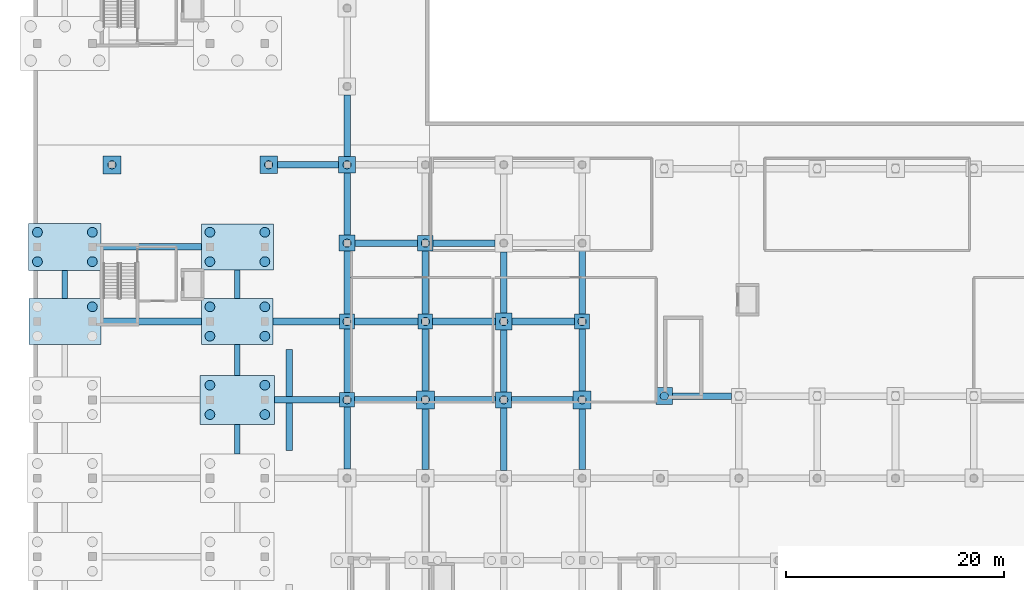
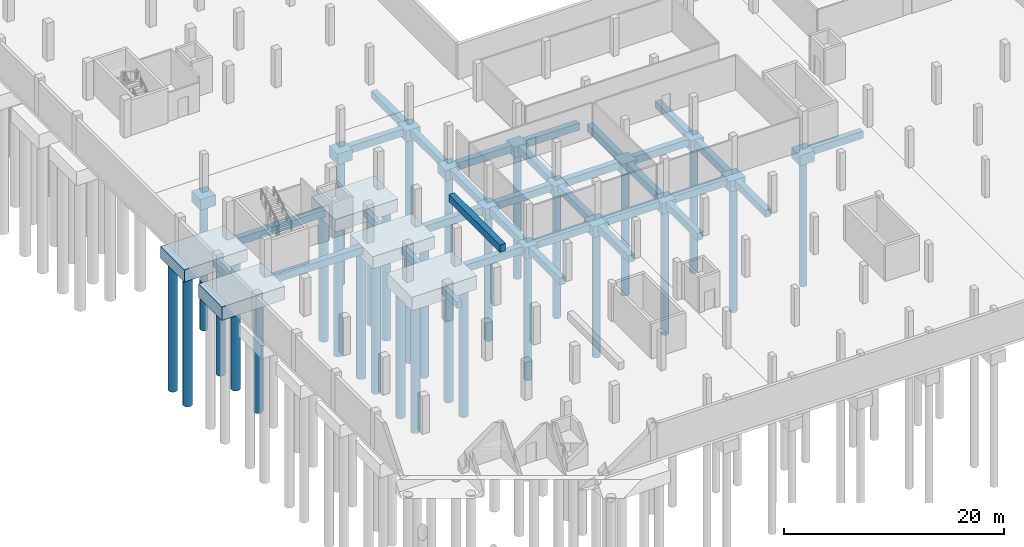
# One storey, part 3 of 36: 52 footings, 31 piles.
"""IFC4 building model written with IfcOpenShell, lengths in metres."""

import ifcopenshell
import ifcopenshell.guid

model = None  # the IFC model being written
_history = None  # IfcOwnerHistory: only IFC2X3 demands one
_inside = {}  # id of a spatial element -> (the spatial element, [elements in it])
_under = {}  # id of a project, library or spatial element -> (it, [spatial elements below it])
_declared = {}  # id of a project -> (the project, [libraries it declares])
_typed = {}  # id of a type object -> (the type object, [elements of that type])
_made_of = {}  # id of a material, layer set ... -> (it, [elements and type objects made of it])


def new_model(schema):
    """Start an empty IFC model of exactly this schema.

    Asked for "IFC4X3", IfcOpenShell would pick the latest addendum, in which some entities
    have other attributes; the version numbers below select the first issue.
    IFC2X3 requires an IfcOwnerHistory on every rooted entity: one is made here for all.
    """
    global model, _history
    if schema == "IFC4X3":
        model = ifcopenshell.file(schema_version=(4, 3, 0, 0))
    else:
        model = ifcopenshell.file(schema=schema)
    _inside.clear()
    _under.clear()
    _declared.clear()
    _typed.clear()
    _made_of.clear()
    _history = None
    if model.schema == "IFC2X3":
        org = make("IfcOrganization", Name="unknown")
        user = make(
            "IfcPersonAndOrganization",
            ThePerson=make("IfcPerson", FamilyName="unknown"),
            TheOrganization=org,
        )
        app = make(
            "IfcApplication",
            ApplicationDeveloper=org,
            Version="unknown",
            ApplicationFullName="unknown",
            ApplicationIdentifier="unknown",
        )
        _history = make(
            "IfcOwnerHistory",
            OwningUser=user,
            OwningApplication=app,
            ChangeAction="ADDED",
            CreationDate=0,
        )
    return model


def make(cls, **values):
    """One entity of the class cls with the attributes given. An attribute that is None is left unset."""
    return model.create_entity(
        cls, **{name: value for name, value in values.items() if value is not None}
    )


def rooted(cls, **values):
    """An entity with a GlobalId (a new one), such as an element, a storey or a relation."""
    return make(cls, GlobalId=ifcopenshell.guid.new(), OwnerHistory=_history, **values)


def si_unit(unit_type, name, prefix=None):
    """IfcSIUnit, for example si_unit("LENGTHUNIT", "METRE", prefix="MILLI")."""
    return make("IfcSIUnit", UnitType=unit_type, Prefix=prefix, Name=name)


def derived_unit(unit_type, elements):
    """IfcDerivedUnit: a product of units, each with its exponent."""
    return make(
        "IfcDerivedUnit",
        Elements=[
            make("IfcDerivedUnitElement", Unit=unit, Exponent=power)
            for unit, power in elements
        ],
        UnitType=unit_type,
    )


def assignment(units):
    """IfcUnitAssignment: the units of a project."""
    return None if units is None else make("IfcUnitAssignment", Units=units)


def point(xyz):
    """IfcCartesianPoint."""
    return None if xyz is None else make("IfcCartesianPoint", Coordinates=xyz)


def direction(xyz):
    """IfcDirection."""
    return None if xyz is None else make("IfcDirection", DirectionRatios=xyz)


def frame(location, z_axis=None, x_axis=None):
    """IfcAxis2Placement3D, a coordinate frame: its origin and axes. An axis left out is left unset."""
    return make(
        "IfcAxis2Placement3D",
        Location=point(location),
        Axis=direction(z_axis),
        RefDirection=direction(x_axis),
    )


def frame_2d(location, x_axis=None):
    """IfcAxis2Placement2D, a coordinate frame in the plane: its origin and x axis."""
    return make(
        "IfcAxis2Placement2D", Location=point(location), RefDirection=direction(x_axis)
    )


def origin():
    """The frame at (0, 0, 0) with its axes left unset."""
    return frame((0.0, 0.0, 0.0))


def origin_2d():
    """The frame at (0, 0) in the plane with its x axis left unset."""
    return frame_2d((0.0, 0.0))


def place(relative_to, where):
    """IfcLocalPlacement: puts the frame where relative to a parent placement (None: the world)."""
    return make(
        "IfcLocalPlacement", PlacementRelTo=relative_to, RelativePlacement=where
    )


def context(
    kind, dimensions, precision=None, world=None, true_north=None, identifier=None
):
    """IfcGeometricRepresentationContext, for example the 3D "Model" context."""
    return make(
        "IfcGeometricRepresentationContext",
        ContextIdentifier=identifier,
        ContextType=kind,
        CoordinateSpaceDimension=dimensions,
        Precision=precision,
        WorldCoordinateSystem=world,
        TrueNorth=true_north,
    )


def subcontext(parent, identifier, kind, view, scale=None):
    """IfcGeometricRepresentationSubContext, for example "Body" below "Model"."""
    return make(
        "IfcGeometricRepresentationSubContext",
        ContextIdentifier=identifier,
        ContextType=kind,
        ParentContext=parent,
        TargetScale=scale,
        TargetView=view,
    )


def project(units=None, contexts=None):
    """IfcProject with its units and contexts."""
    return rooted(
        "IfcProject",
        Name="project",
        RepresentationContexts=contexts,
        UnitsInContext=assignment(units),
    )


def spatial(cls, under=None, at=None, **own):
    """A site, building, storey or space (cls), placed at a placement, below another one or the project."""
    s = rooted(cls, ObjectPlacement=at, **own)
    if under is not None:
        _under.setdefault(under.id(), (under, []))[1].append(s)
    return s


def polyline(points):
    """IfcPolyline through the points."""
    return make("IfcPolyline", Points=[point(p) for p in points])


def profile(cls, at=None, kind="AREA", **sizes):
    """A parametric profile (cls). Its sizes go by their IFC names, for example OverallWidth=200.0."""
    return make(cls, ProfileType=kind, Position=at, **sizes)


def rectangle(**sizes):
    """IfcRectangleProfileDef."""
    return profile("IfcRectangleProfileDef", **sizes)


def circle(**sizes):
    """IfcCircleProfileDef."""
    return profile("IfcCircleProfileDef", **sizes)


def outline(outer, holes=None, kind="AREA"):
    """IfcArbitraryClosedProfileDef: a profile drawn as a closed curve; with holes, ...WithVoids."""
    if holes is None:
        return make("IfcArbitraryClosedProfileDef", ProfileType=kind, OuterCurve=outer)
    return make(
        "IfcArbitraryProfileDefWithVoids",
        ProfileType=kind,
        OuterCurve=outer,
        InnerCurves=holes,
    )


def extrude(swept, where, along, depth):
    """IfcExtrudedAreaSolid: the profile swept, set in the frame where, extruded along a direction by depth."""
    return make(
        "IfcExtrudedAreaSolid",
        SweptArea=swept,
        Position=where,
        ExtrudedDirection=direction(along),
        Depth=depth,
    )


def shape(context_of_items, identifier, shape_type, items):
    """IfcShapeRepresentation: the items that make up one representation, for example the "Body"."""
    return make(
        "IfcShapeRepresentation",
        ContextOfItems=context_of_items,
        RepresentationIdentifier=identifier,
        RepresentationType=shape_type,
        Items=items,
    )


def material(Name=None, Category=None):
    """IfcMaterial."""
    return make("IfcMaterial", Name=Name, Category=Category)


def material_profile(
    of_material, cross_section, Name=None, Category=None, Priority=None
):
    """IfcMaterialProfile: a cross section and its material."""
    return make(
        "IfcMaterialProfile",
        Name=Name,
        Material=of_material,
        Profile=cross_section,
        Priority=Priority,
        Category=Category,
    )


def profile_set(profiles, Name=None, composite=None):
    """IfcMaterialProfileSet."""
    return make(
        "IfcMaterialProfileSet",
        Name=Name,
        MaterialProfiles=profiles,
        CompositeProfile=composite,
    )


def made_of(thing, what):
    """Note that an element or type object is made of a material, layer set ...; save() writes the relation."""
    if what is not None:
        _made_of.setdefault(what.id(), (what, []))[1].append(thing)
    return thing


def type_object(cls, material=None, **own):
    """A type object (cls), such as IfcWallType, which elements share."""
    return made_of(rooted(cls, **own), material)


def element(
    cls,
    number,
    at=None,
    inside=None,
    cuts=None,
    type_object=None,
    material=None,
    context=None,
    identifier="Body",
    shape_type=None,
    held_by="IfcProductDefinitionShape",
    body=None,
    shapes=None,
    **own,
):
    """One element of the class cls, such as IfcWall. Its Tag is "e" and its number.

    at: its placement. inside: the storey or other place that contains it. cuts: it is an
    opening in that element (IfcRelVoidsElement). A single representation is given by context,
    identifier, shape_type and body (its items); several are given by shapes. held_by: the class
    of the entity that holds the representations. save() writes the other relations.
    """
    e = rooted(cls, Tag="e%d" % number, ObjectPlacement=at, **own)
    if body is not None:
        shapes = [shape(context, identifier, shape_type, body)]
    if shapes is not None:
        e.Representation = make(held_by, Representations=shapes)
    if inside is not None:
        _inside.setdefault(inside.id(), (inside, []))[1].append(e)
    if cuts is not None:
        rooted(
            "IfcRelVoidsElement", RelatingBuildingElement=cuts, RelatedOpeningElement=e
        )
    if type_object is not None:
        _typed.setdefault(type_object.id(), (type_object, []))[1].append(e)
    return made_of(e, material)


def aggregate(whole, parts):
    """IfcRelAggregates: a whole, such as a stair, and the parts it consists of."""
    return rooted("IfcRelAggregates", RelatingObject=whole, RelatedObjects=parts)


def save(model, path):
    """Write the relations noted so far, then the file.

    IfcRelAggregates (storeys below a building ...), IfcRelContainedInSpatialStructure (elements
    in a storey), IfcRelDefinesByType, IfcRelAssociatesMaterial and IfcRelDeclares: one each for
    every whole, place, type object, material and project.
    """
    for whole, parts in _under.values():
        aggregate(whole, parts)
    for where, things in _inside.values():
        rooted(
            "IfcRelContainedInSpatialStructure",
            RelatedElements=things,
            RelatingStructure=where,
        )
    for kind, things in _typed.values():
        rooted("IfcRelDefinesByType", RelatedObjects=things, RelatingType=kind)
    for what, things in _made_of.values():
        rooted("IfcRelAssociatesMaterial", RelatedObjects=things, RelatingMaterial=what)
    for by, libraries in _declared.values():
        rooted("IfcRelDeclares", RelatingContext=by, RelatedDefinitions=libraries)
    model.write(path)


model = new_model("IFC4")

# Units and contexts
model_context = context("Model", 3, precision=1e-05, world=origin(), true_north=direction((0.0, 1.0)))
body_context = subcontext(model_context, "Body", "Model", "MODEL_VIEW")
ifc_project = project(units=[si_unit("LENGTHUNIT", "METRE"), si_unit("AREAUNIT", "SQUARE_METRE"), si_unit("VOLUMEUNIT", "CUBIC_METRE"), si_unit("PLANEANGLEUNIT", "RADIAN"), si_unit("MASSUNIT", "GRAM", prefix="KILO"), derived_unit("THERMALTRANSMITTANCEUNIT", [(si_unit("MASSUNIT", "GRAM", prefix="KILO"), 1), (si_unit("TIMEUNIT", "SECOND"), -3), (si_unit("THERMODYNAMICTEMPERATUREUNIT", "KELVIN"), -1)])], contexts=[model_context])

# Site, building, storey
site_placement = place(None, origin())
site = spatial("IfcSite", under=ifc_project, at=site_placement, CompositionType="ELEMENT")
building_placement = place(site_placement, origin())
building = spatial("IfcBuilding", under=site, at=building_placement, Name="Ochrekiln Boulevard Commons", CompositionType="ELEMENT")
storey_placement = place(building_placement, frame((0.0, 0.0, -4.199951171875)))
storey = spatial("IfcBuildingStorey", under=building, at=storey_placement, Name="B1", CompositionType="ELEMENT", Elevation=-4.199951171875)

# Footings
ifc_material = material(Name="Concrete C35/45", Category="concrete")
footing_type_1 = type_object("IfcFootingType", Name="CAP-RC-1350x1350x1200", PredefinedType="PILE_CAP", material=ifc_material)
for number, where, z_axis, x_axis, name in (
    (1, (28.800048828125, 36.0, -1.5), (0.0, 0.0, 1.0), (1.0, 0.0, 0.0), "Reinforced Concrete Pile Cap PC-27 (36)"),
    (2, (36.0, 43.199951171875, -1.5), (0.0, 0.0, 1.0), (1.0, 0.0, 0.0), "Reinforced Concrete Pile Cap PC-27 (54)"),
    (3, (50.39990234375, 43.199951171875, -1.5), (0.0, 0.0, 1.0), (1.0, 0.0, 0.0), "Reinforced Concrete Pile Cap PC-27 (72)"),
):
    element("IfcFooting", number, at=place(storey_placement, frame(where, z_axis=z_axis, x_axis=x_axis)), inside=storey, type_object=footing_type_1, Name=name, PredefinedType="PILE_CAP", context=body_context, shape_type="SweptSolid", body=[
        extrude(rectangle(XDim=1.35009765625, YDim=1.35009765625, at=origin_2d()), origin(), (0.0, 0.0, 1.0), 1.199951171875),
    ])
footing_type_2 = type_object("IfcFootingType", Name="CAP-RC-1410x1410x1200", PredefinedType="PILE_CAP", material=ifc_material)
for number, where, z_axis, x_axis, name in (
    (4, (28.800048828125, 43.199951171875, -1.5), (0.0, 0.0, 1.0), (1.0, 0.0, 0.0), "Reinforced Concrete Pile Cap PC-28 (37)"),
    (5, (36.0, 50.39990234375, -1.5), (0.0, 0.0, 1.0), (1.0, 0.0, 0.0), "Reinforced Concrete Pile Cap PC-28 (55)"),
):
    element("IfcFooting", number, at=place(storey_placement, frame(where, z_axis=z_axis, x_axis=x_axis)), inside=storey, type_object=footing_type_2, Name=name, PredefinedType="PILE_CAP", context=body_context, shape_type="SweptSolid", body=[
        extrude(rectangle(XDim=1.409912109375, YDim=1.409912109375, at=origin_2d()), origin(), (0.0, 0.0, 1.0), 1.199951171875),
    ])
footing_type_3 = type_object("IfcFootingType", Name="CAP-RC-1470x1470x1200", PredefinedType="PILE_CAP", material=ifc_material)
for number, where, z_axis, x_axis, name in (
    (6, (28.800048828125, 50.39990234375, -1.5), (0.0, 0.0, 1.0), (1.0, 0.0, 0.0), "Reinforced Concrete Pile Cap PC-29 (38)"),
    (7, (43.199951171875, 36.0, -1.5), (0.0, 0.0, 1.0), (1.0, 0.0, 0.0), "Reinforced Concrete Pile Cap PC-29 (62)"),
):
    element("IfcFooting", number, at=place(storey_placement, frame(where, z_axis=z_axis, x_axis=x_axis)), inside=storey, type_object=footing_type_3, Name=name, PredefinedType="PILE_CAP", context=body_context, shape_type="SweptSolid", body=[
        extrude(rectangle(XDim=1.469970703125, YDim=1.469970703125, at=origin_2d()), origin(), (0.0, 0.0, 1.0), 1.199951171875),
    ])
footing_type_4 = type_object("IfcFootingType", Name="CAP-RC-1530x1530x1200", PredefinedType="PILE_CAP", material=ifc_material)
for number, where, z_axis, x_axis, name in (
    (8, (28.800048828125, 57.60009765625, -1.5), (0.0, 0.0, 1.0), (1.0, 0.0, 0.0), "Reinforced Concrete Pile Cap PC-30 (39)"),
    (9, (43.199951171875, 43.199951171875, -1.5), (0.0, 0.0, 1.0), (1.0, 0.0, 0.0), "Reinforced Concrete Pile Cap PC-30 (63)"),
    (10, (57.949951171875, 36.35009765625, -1.5), (0.0, 0.0, 1.0), (1.0, 0.0, 0.0), "Reinforced Concrete Pile Cap PC-30 (81)"),
):
    element("IfcFooting", number, at=place(storey_placement, frame(where, z_axis=z_axis, x_axis=x_axis)), inside=storey, type_object=footing_type_4, Name=name, PredefinedType="PILE_CAP", context=body_context, shape_type="SweptSolid", body=[
        extrude(rectangle(XDim=1.530029296875, YDim=1.530029296875, at=origin_2d()), origin(), (0.0, 0.0, 1.0), 1.199951171875),
    ])
footing_type_5 = type_object("IfcFootingType", Name="CAP-RC-1590x1590x1200", PredefinedType="PILE_CAP", material=ifc_material)
footing_1_placement = place(storey_placement, frame((21.60009765625, 57.60009765625, -1.5), z_axis=(0.0, 0.0, 1.0), x_axis=(1.0, 0.0, 0.0)))
element("IfcFooting", 11, at=footing_1_placement, inside=storey, type_object=footing_type_5, Name="Reinforced Concrete Pile Cap PC-26 (34)", PredefinedType="PILE_CAP", context=body_context, shape_type="SweptSolid", body=[
    extrude(rectangle(XDim=1.590087890625, YDim=1.590087890625, at=origin_2d()), origin(), (0.0, 0.0, 1.0), 1.199951171875),
])
footing_type_6 = type_object("IfcFootingType", Name="CAP-RC-1650x1650x1200", PredefinedType="PILE_CAP", material=ifc_material)
for number, where, z_axis, x_axis, name in (
    (12, (7.199951171875, 57.60009765625, -1.5), (0.0, 0.0, 1.0), (1.0, 0.0, 0.0), "Reinforced Concrete Pile Cap PC-17 (17)"),
    (13, (36.0, 36.0, -1.5), (0.0, 0.0, 1.0), (1.0, 0.0, 0.0), "Reinforced Concrete Pile Cap PC-17 (53)"),
    (14, (50.39990234375, 36.0, -1.5), (0.0, 0.0, 1.0), (1.0, 0.0, 0.0), "Reinforced Concrete Pile Cap PC-17 (71)"),
):
    element("IfcFooting", number, at=place(storey_placement, frame(where, z_axis=z_axis, x_axis=x_axis)), inside=storey, type_object=footing_type_6, Name=name, PredefinedType="PILE_CAP", context=body_context, shape_type="SweptSolid", body=[
        extrude(rectangle(XDim=1.64990234375, YDim=1.64990234375, at=origin_2d()), origin(), (0.0, 0.0, 1.0), 1.199951171875),
    ])
footing_type_7 = type_object("IfcFootingType", Name="CAP-RC-6550x4200x1350", PredefinedType="PILE_CAP", material=ifc_material)
footing_2_placement = place(storey_placement, frame((18.72509765625, 43.199951171875, -1.650146484375), z_axis=(0.0, 0.0, 1.0), x_axis=(1.0, 0.0, 0.0)))
element("IfcFooting", 15, at=footing_2_placement, inside=storey, type_object=footing_type_7, Name="Reinforced Concrete Pile Cap PC-21 (24)", PredefinedType="PILE_CAP", context=body_context, shape_type="SweptSolid", body=[
    extrude(rectangle(XDim=6.550048828125, YDim=4.199951171875, at=origin_2d()), origin(), (0.0, 0.0, 1.0), 1.35009765625),
])
footing_type_8 = type_object("IfcFootingType", Name="CAP-RC-6610x4260x1400", PredefinedType="PILE_CAP", material=ifc_material)
footing_3_placement = place(storey_placement, frame((18.72509765625, 50.050048828125, -1.699951171875), z_axis=(0.0, 0.0, 1.0), x_axis=(1.0, 0.0, 0.0)))
element("IfcFooting", 16, at=footing_3_placement, inside=storey, type_object=footing_type_8, Name="Reinforced Concrete Pile Cap PC-01 (25)", PredefinedType="PILE_CAP", context=body_context, shape_type="SweptSolid", body=[
    extrude(rectangle(XDim=6.610107421875, YDim=4.260009765625, at=origin_2d()), origin(), (0.0, 0.0, 1.0), 1.39990234375),
])
footing_type_9 = type_object("IfcFootingType", Name="CAP-RC-6610x4260x1500", PredefinedType="PILE_CAP", material=ifc_material)
footing_4_placement = place(storey_placement, frame((2.875, 43.199951171875, -1.800048828125), z_axis=(0.0, 0.0, 1.0), x_axis=(1.0, 0.0, 0.0)))
element("IfcFooting", 17, at=footing_4_placement, inside=storey, type_object=footing_type_9, Name="Reinforced Concrete Pile Cap PC-07 (7)", PredefinedType="PILE_CAP", context=body_context, shape_type="SweptSolid", body=[
    extrude(rectangle(XDim=6.610107421875, YDim=4.260009765625, at=origin_2d()), origin(), (0.0, 0.0, 1.0), 1.5),
])
footing_type_10 = type_object("IfcFootingType", Name="CAP-RC-6670x4320x1350", PredefinedType="PILE_CAP", material=ifc_material)
footing_5_placement = place(storey_placement, frame((2.875, 50.050048828125, -1.650146484375), z_axis=(0.0, 0.0, 1.0), x_axis=(1.0, 0.0, 0.0)))
element("IfcFooting", 18, at=footing_5_placement, inside=storey, type_object=footing_type_10, Name="Reinforced Concrete Pile Cap PC-08 (8)", PredefinedType="PILE_CAP", context=body_context, shape_type="SweptSolid", body=[
    extrude(rectangle(XDim=6.669921875, YDim=4.320068359375, at=origin_2d()), origin(), (0.0, 0.0, 1.0), 1.35009765625),
])
footing_type_11 = type_object("IfcFootingType", Name="CAP-RC-6850x4500x1500", PredefinedType="PILE_CAP", material=ifc_material)
footing_6_placement = place(storey_placement, frame((18.72509765625, 36.0, -1.800048828125), z_axis=(0.0, 0.0, 1.0), x_axis=(1.0, 0.0, 0.0)))
element("IfcFooting", 19, at=footing_6_placement, inside=storey, type_object=footing_type_11, Name="Reinforced Concrete Pile Cap PC-20 (23)", PredefinedType="PILE_CAP", context=body_context, shape_type="SweptSolid", body=[
    extrude(rectangle(XDim=6.85009765625, YDim=4.5, at=origin_2d()), origin(), (0.0, 0.0, 1.0), 1.5),
])
footing_type_12 = type_object("IfcFootingType", Name="FTG-BEAM-500x700", PredefinedType="FOOTING_BEAM", material=ifc_material)
footing_7_placement = place(storey_placement, frame((0.0, 0.0, -1.0)))
element("IfcFooting", 20, at=footing_7_placement, inside=storey, type_object=footing_type_12, Name="Seismic Footing Tie Beam FB-5070 Y-172", PredefinedType="FOOTING_BEAM", context=body_context, shape_type="SweptSolid", body=[
    extrude(outline(polyline([(2.625, 45.330078125), (3.125, 45.330078125), (3.125, 47.889892578125), (2.625, 47.889892578125), (2.625, 45.330078125)])), origin(), (0.0, 0.0, 1.0), 0.699951171875),
])
footing_8_placement = place(storey_placement, frame((0.0, 0.0, -1.0)))
element("IfcFooting", 21, at=footing_8_placement, inside=storey, type_object=footing_type_12, Name="Seismic Footing Tie Beam FB-5070 Y-184", PredefinedType="FOOTING_BEAM", context=body_context, shape_type="SweptSolid", body=[
    extrude(outline(polyline([(18.47509765625, 31.02001953125), (18.97509765625, 31.02001953125), (18.97509765625, 33.75), (18.47509765625, 33.75), (18.47509765625, 31.02001953125)])), origin(), (0.0, 0.0, 1.0), 0.699951171875),
])
footing_9_placement = place(storey_placement, frame((0.0, 0.0, -1.0)))
element("IfcFooting", 22, at=footing_9_placement, inside=storey, type_object=footing_type_12, Name="Seismic Footing Tie Beam FB-5070 Y-185", PredefinedType="FOOTING_BEAM", context=body_context, shape_type="SweptSolid", body=[
    extrude(outline(polyline([(18.47509765625, 38.25), (18.97509765625, 38.25), (18.97509765625, 41.10009765625), (18.47509765625, 41.10009765625), (18.47509765625, 38.25)])), origin(), (0.0, 0.0, 1.0), 0.699951171875),
])
footing_10_placement = place(storey_placement, frame((0.0, 0.0, -1.0)))
element("IfcFooting", 23, at=footing_10_placement, inside=storey, type_object=footing_type_12, Name="Seismic Footing Tie Beam FB-5070 Y-186", PredefinedType="FOOTING_BEAM", context=body_context, shape_type="SweptSolid", body=[
    extrude(outline(polyline([(18.47509765625, 45.300048828125), (18.97509765625, 45.300048828125), (18.97509765625, 47.919921875), (18.47509765625, 47.919921875), (18.47509765625, 45.300048828125)])), origin(), (0.0, 0.0, 1.0), 0.699951171875),
])
footing_type_13 = type_object("IfcFootingType", Name="FTG-BEAM-600x800", PredefinedType="FOOTING_BEAM", material=ifc_material)
footing_11_placement = place(storey_placement, frame((0.0, 0.0, -1.10009765625)))
element("IfcFooting", 24, at=footing_11_placement, inside=storey, type_object=footing_type_13, Name="Seismic Footing Tie Beam FB-6080 X-53", PredefinedType="FOOTING_BEAM", context=body_context, shape_type="SweptSolid", body=[
    extrude(outline(polyline([(22.14990234375, 35.699951171875), (28.125, 35.699951171875), (28.125, 36.300048828125), (22.14990234375, 36.300048828125), (22.14990234375, 35.699951171875)])), origin(), (0.0, 0.0, 1.0), 0.800048828125),
])
footing_12_placement = place(storey_placement, frame((0.0, 0.0, -1.10009765625)))
element("IfcFooting", 25, at=footing_12_placement, inside=storey, type_object=footing_type_13, Name="Seismic Footing Tie Beam FB-6080 X-54", PredefinedType="FOOTING_BEAM", context=body_context, shape_type="SweptSolid", body=[
    extrude(outline(polyline([(29.47509765625, 35.699951171875), (35.175048828125, 35.699951171875), (35.175048828125, 36.300048828125), (29.47509765625, 36.300048828125), (29.47509765625, 35.699951171875)])), origin(), (0.0, 0.0, 1.0), 0.800048828125),
])
footing_13_placement = place(storey_placement, frame((0.0, 0.0, -1.10009765625)))
element("IfcFooting", 26, at=footing_13_placement, inside=storey, type_object=footing_type_13, Name="Seismic Footing Tie Beam FB-6080 X-55", PredefinedType="FOOTING_BEAM", context=body_context, shape_type="SweptSolid", body=[
    extrude(outline(polyline([(36.824951171875, 35.699951171875), (42.465087890625, 35.699951171875), (42.465087890625, 36.300048828125), (36.824951171875, 36.300048828125), (36.824951171875, 35.699951171875)])), origin(), (0.0, 0.0, 1.0), 0.800048828125),
])
footing_14_placement = place(storey_placement, frame((0.0, 0.0, -1.10009765625)))
element("IfcFooting", 27, at=footing_14_placement, inside=storey, type_object=footing_type_13, Name="Seismic Footing Tie Beam FB-6080 X-56", PredefinedType="FOOTING_BEAM", context=body_context, shape_type="SweptSolid", body=[
    extrude(outline(polyline([(43.93505859375, 35.699951171875), (49.574951171875, 35.699951171875), (49.574951171875, 36.300048828125), (43.93505859375, 36.300048828125), (43.93505859375, 35.699951171875)])), origin(), (0.0, 0.0, 1.0), 0.800048828125),
])
footing_15_placement = place(storey_placement, frame((0.0, 0.0, -1.10009765625)))
element("IfcFooting", 28, at=footing_15_placement, inside=storey, type_object=footing_type_13, Name="Seismic Footing Tie Beam FB-6080 X-57", PredefinedType="FOOTING_BEAM", context=body_context, shape_type="SweptSolid", body=[
    extrude(outline(polyline([(58.715087890625, 36.050048828125), (64.125, 36.050048828125), (64.125, 36.64990234375), (58.715087890625, 36.64990234375), (58.715087890625, 36.050048828125)])), origin(), (0.0, 0.0, 1.0), 0.800048828125),
])
footing_16_placement = place(storey_placement, frame((0.0, 0.0, -1.10009765625)))
element("IfcFooting", 29, at=footing_16_placement, inside=storey, type_object=footing_type_13, Name="Seismic Footing Tie Beam FB-6080 X-71", PredefinedType="FOOTING_BEAM", context=body_context, shape_type="SweptSolid", body=[
    extrude(outline(polyline([(6.179931640625, 42.89990234375), (15.449951171875, 42.89990234375), (15.449951171875, 43.5), (6.179931640625, 43.5), (6.179931640625, 42.89990234375)])), origin(), (0.0, 0.0, 1.0), 0.800048828125),
])
footing_17_placement = place(storey_placement, frame((0.0, 0.0, -1.10009765625)))
element("IfcFooting", 30, at=footing_17_placement, inside=storey, type_object=footing_type_13, Name="Seismic Footing Tie Beam FB-6080 X-72", PredefinedType="FOOTING_BEAM", context=body_context, shape_type="SweptSolid", body=[
    extrude(outline(polyline([(22.0, 42.89990234375), (28.094970703125, 42.89990234375), (28.094970703125, 43.5), (22.0, 43.5), (22.0, 42.89990234375)])), origin(), (0.0, 0.0, 1.0), 0.800048828125),
])
footing_18_placement = place(storey_placement, frame((0.0, 0.0, -1.10009765625)))
element("IfcFooting", 31, at=footing_18_placement, inside=storey, type_object=footing_type_13, Name="Seismic Footing Tie Beam FB-6080 X-73", PredefinedType="FOOTING_BEAM", context=body_context, shape_type="SweptSolid", body=[
    extrude(outline(polyline([(29.5048828125, 42.89990234375), (35.324951171875, 42.89990234375), (35.324951171875, 43.5), (29.5048828125, 43.5), (29.5048828125, 42.89990234375)])), origin(), (0.0, 0.0, 1.0), 0.800048828125),
])
footing_19_placement = place(storey_placement, frame((0.0, 0.0, -1.10009765625)))
element("IfcFooting", 32, at=footing_19_placement, inside=storey, type_object=footing_type_13, Name="Seismic Footing Tie Beam FB-6080 X-74", PredefinedType="FOOTING_BEAM", context=body_context, shape_type="SweptSolid", body=[
    extrude(outline(polyline([(36.675048828125, 42.89990234375), (42.43505859375, 42.89990234375), (42.43505859375, 43.5), (36.675048828125, 43.5), (36.675048828125, 42.89990234375)])), origin(), (0.0, 0.0, 1.0), 0.800048828125),
])
footing_20_placement = place(storey_placement, frame((0.0, 0.0, -1.10009765625)))
element("IfcFooting", 33, at=footing_20_placement, inside=storey, type_object=footing_type_13, Name="Seismic Footing Tie Beam FB-6080 X-75", PredefinedType="FOOTING_BEAM", context=body_context, shape_type="SweptSolid", body=[
    extrude(outline(polyline([(43.965087890625, 42.89990234375), (49.72509765625, 42.89990234375), (49.72509765625, 43.5), (43.965087890625, 43.5), (43.965087890625, 42.89990234375)])), origin(), (0.0, 0.0, 1.0), 0.800048828125),
])
footing_21_placement = place(storey_placement, frame((0.0, 0.0, -1.10009765625)))
element("IfcFooting", 34, at=footing_21_placement, inside=storey, type_object=footing_type_13, Name="Seismic Footing Tie Beam FB-6080 X-83", PredefinedType="FOOTING_BEAM", context=body_context, shape_type="SweptSolid", body=[
    extrude(outline(polyline([(6.2099609375, 49.75), (15.419921875, 49.75), (15.419921875, 50.35009765625), (6.2099609375, 50.35009765625), (6.2099609375, 49.75)])), origin(), (0.0, 0.0, 1.0), 0.800048828125),
])
footing_22_placement = place(storey_placement, frame((0.0, 0.0, -1.10009765625)))
element("IfcFooting", 35, at=footing_22_placement, inside=storey, type_object=footing_type_13, Name="Seismic Footing Tie Beam FB-6080 X-84", PredefinedType="FOOTING_BEAM", context=body_context, shape_type="SweptSolid", body=[
    extrude(outline(polyline([(29.534912109375, 50.10009765625), (35.294921875, 50.10009765625), (35.294921875, 50.699951171875), (29.534912109375, 50.699951171875), (29.534912109375, 50.10009765625)])), origin(), (0.0, 0.0, 1.0), 0.800048828125),
])
footing_23_placement = place(storey_placement, frame((0.0, 0.0, -1.10009765625)))
element("IfcFooting", 36, at=footing_23_placement, inside=storey, type_object=footing_type_13, Name="Seismic Footing Tie Beam FB-6080 X-85", PredefinedType="FOOTING_BEAM", context=body_context, shape_type="SweptSolid", body=[
    extrude(outline(polyline([(36.705078125, 50.10009765625), (42.405029296875, 50.10009765625), (42.405029296875, 50.699951171875), (36.705078125, 50.699951171875), (36.705078125, 50.10009765625)])), origin(), (0.0, 0.0, 1.0), 0.800048828125),
])
footing_24_placement = place(storey_placement, frame((0.0, 0.0, -1.10009765625)))
element("IfcFooting", 37, at=footing_24_placement, inside=storey, type_object=footing_type_13, Name="Seismic Footing Tie Beam FB-6080 X-121", PredefinedType="FOOTING_BEAM", context=body_context, shape_type="SweptSolid", body=[
    extrude(outline(polyline([(22.39501953125, 57.300048828125), (28.034912109375, 57.300048828125), (28.034912109375, 57.89990234375), (22.39501953125, 57.89990234375), (22.39501953125, 57.300048828125)])), origin(), (0.0, 0.0, 1.0), 0.800048828125),
])
footing_25_placement = place(storey_placement, frame((0.0, 0.0, -1.10009765625)))
element("IfcFooting", 38, at=footing_25_placement, inside=storey, type_object=footing_type_13, Name="Seismic Footing Tie Beam FB-6080 Y-197", PredefinedType="FOOTING_BEAM", context=body_context, shape_type="SweptSolid", body=[
    extrude(outline(polyline([(28.5, 29.625), (29.10009765625, 29.625), (29.10009765625, 35.324951171875), (28.5, 35.324951171875), (28.5, 29.625)])), origin(), (0.0, 0.0, 1.0), 0.800048828125),
])
footing_26_placement = place(storey_placement, frame((0.0, 0.0, -1.10009765625)))
element("IfcFooting", 39, at=footing_26_placement, inside=storey, type_object=footing_type_13, Name="Seismic Footing Tie Beam FB-6080 Y-198", PredefinedType="FOOTING_BEAM", context=body_context, shape_type="SweptSolid", body=[
    extrude(outline(polyline([(28.5, 36.675048828125), (29.10009765625, 36.675048828125), (29.10009765625, 42.4951171875), (28.5, 42.4951171875), (28.5, 36.675048828125)])), origin(), (0.0, 0.0, 1.0), 0.800048828125),
])
footing_27_placement = place(storey_placement, frame((0.0, 0.0, -1.10009765625)))
element("IfcFooting", 40, at=footing_27_placement, inside=storey, type_object=footing_type_13, Name="Seismic Footing Tie Beam FB-6080 Y-199", PredefinedType="FOOTING_BEAM", context=body_context, shape_type="SweptSolid", body=[
    extrude(outline(polyline([(28.5, 43.905029296875), (29.10009765625, 43.905029296875), (29.10009765625, 49.6650390625), (28.5, 49.6650390625), (28.5, 43.905029296875)])), origin(), (0.0, 0.0, 1.0), 0.800048828125),
])
footing_28_placement = place(storey_placement, frame((0.0, 0.0, -1.10009765625)))
element("IfcFooting", 41, at=footing_28_placement, inside=storey, type_object=footing_type_13, Name="Seismic Footing Tie Beam FB-6080 Y-200", PredefinedType="FOOTING_BEAM", context=body_context, shape_type="SweptSolid", body=[
    extrude(outline(polyline([(28.5, 51.135009765625), (29.10009765625, 51.135009765625), (29.10009765625, 56.8349609375), (28.5, 56.8349609375), (28.5, 51.135009765625)])), origin(), (0.0, 0.0, 1.0), 0.800048828125),
])
footing_29_placement = place(storey_placement, frame((0.0, 0.0, -1.10009765625)))
element("IfcFooting", 42, at=footing_29_placement, inside=storey, type_object=footing_type_13, Name="Seismic Footing Tie Beam FB-6080 Y-201", PredefinedType="FOOTING_BEAM", context=body_context, shape_type="SweptSolid", body=[
    extrude(outline(polyline([(28.5, 58.364990234375), (29.10009765625, 58.364990234375), (29.10009765625, 64.0048828125), (28.5, 64.0048828125), (28.5, 58.364990234375)])), origin(), (0.0, 0.0, 1.0), 0.800048828125),
])
footing_30_placement = place(storey_placement, frame((0.0, 0.0, -1.10009765625)))
element("IfcFooting", 43, at=footing_30_placement, inside=storey, type_object=footing_type_13, Name="Seismic Footing Tie Beam FB-6080 Y-209", PredefinedType="FOOTING_BEAM", context=body_context, shape_type="SweptSolid", body=[
    extrude(outline(polyline([(35.699951171875, 29.594970703125), (36.300048828125, 29.594970703125), (36.300048828125, 35.175048828125), (35.699951171875, 35.175048828125), (35.699951171875, 29.594970703125)])), origin(), (0.0, 0.0, 1.0), 0.800048828125),
])
footing_31_placement = place(storey_placement, frame((0.0, 0.0, -1.10009765625)))
element("IfcFooting", 44, at=footing_31_placement, inside=storey, type_object=footing_type_13, Name="Seismic Footing Tie Beam FB-6080 Y-210", PredefinedType="FOOTING_BEAM", context=body_context, shape_type="SweptSolid", body=[
    extrude(outline(polyline([(35.699951171875, 36.824951171875), (36.300048828125, 36.824951171875), (36.300048828125, 42.52490234375), (35.699951171875, 42.52490234375), (35.699951171875, 36.824951171875)])), origin(), (0.0, 0.0, 1.0), 0.800048828125),
])
footing_32_placement = place(storey_placement, frame((0.0, 0.0, -1.10009765625)))
element("IfcFooting", 45, at=footing_32_placement, inside=storey, type_object=footing_type_13, Name="Seismic Footing Tie Beam FB-6080 Y-211", PredefinedType="FOOTING_BEAM", context=body_context, shape_type="SweptSolid", body=[
    extrude(outline(polyline([(35.699951171875, 43.875), (36.300048828125, 43.875), (36.300048828125, 49.695068359375), (35.699951171875, 49.695068359375), (35.699951171875, 43.875)])), origin(), (0.0, 0.0, 1.0), 0.800048828125),
])
footing_33_placement = place(storey_placement, frame((0.0, 0.0, -1.10009765625)))
element("IfcFooting", 46, at=footing_33_placement, inside=storey, type_object=footing_type_13, Name="Seismic Footing Tie Beam FB-6080 Y-216", PredefinedType="FOOTING_BEAM", context=body_context, shape_type="SweptSolid", body=[
    extrude(outline(polyline([(42.89990234375, 29.5048828125), (43.5, 29.5048828125), (43.5, 35.264892578125), (42.89990234375, 35.264892578125), (42.89990234375, 29.5048828125)])), origin(), (0.0, 0.0, 1.0), 0.800048828125),
])
footing_34_placement = place(storey_placement, frame((0.0, 0.0, -1.10009765625)))
element("IfcFooting", 47, at=footing_34_placement, inside=storey, type_object=footing_type_13, Name="Seismic Footing Tie Beam FB-6080 Y-217", PredefinedType="FOOTING_BEAM", context=body_context, shape_type="SweptSolid", body=[
    extrude(outline(polyline([(42.89990234375, 36.735107421875), (43.5, 36.735107421875), (43.5, 42.43505859375), (42.89990234375, 42.43505859375), (42.89990234375, 36.735107421875)])), origin(), (0.0, 0.0, 1.0), 0.800048828125),
])
footing_35_placement = place(storey_placement, frame((0.0, 0.0, -1.10009765625)))
element("IfcFooting", 48, at=footing_35_placement, inside=storey, type_object=footing_type_13, Name="Seismic Footing Tie Beam FB-6080 Y-218", PredefinedType="FOOTING_BEAM", context=body_context, shape_type="SweptSolid", body=[
    extrude(outline(polyline([(42.89990234375, 43.965087890625), (43.5, 43.965087890625), (43.5, 49.60498046875), (42.89990234375, 49.60498046875), (42.89990234375, 43.965087890625)])), origin(), (0.0, 0.0, 1.0), 0.800048828125),
])
footing_36_placement = place(storey_placement, frame((0.0, 0.0, -1.10009765625)))
element("IfcFooting", 49, at=footing_36_placement, inside=storey, type_object=footing_type_13, Name="Seismic Footing Tie Beam FB-6080 Y-223", PredefinedType="FOOTING_BEAM", context=body_context, shape_type="SweptSolid", body=[
    extrude(outline(polyline([(50.10009765625, 29.594970703125), (50.699951171875, 29.594970703125), (50.699951171875, 35.175048828125), (50.10009765625, 35.175048828125), (50.10009765625, 29.594970703125)])), origin(), (0.0, 0.0, 1.0), 0.800048828125),
])
footing_37_placement = place(storey_placement, frame((0.0, 0.0, -1.10009765625)))
element("IfcFooting", 50, at=footing_37_placement, inside=storey, type_object=footing_type_13, Name="Seismic Footing Tie Beam FB-6080 Y-224", PredefinedType="FOOTING_BEAM", context=body_context, shape_type="SweptSolid", body=[
    extrude(outline(polyline([(50.10009765625, 36.824951171875), (50.699951171875, 36.824951171875), (50.699951171875, 42.52490234375), (50.10009765625, 42.52490234375), (50.10009765625, 36.824951171875)])), origin(), (0.0, 0.0, 1.0), 0.800048828125),
])
footing_38_placement = place(storey_placement, frame((0.0, 0.0, -1.10009765625)))
element("IfcFooting", 51, at=footing_38_placement, inside=storey, type_object=footing_type_13, Name="Seismic Footing Tie Beam FB-6080 Y-225", PredefinedType="FOOTING_BEAM", context=body_context, shape_type="SweptSolid", body=[
    extrude(outline(polyline([(50.10009765625, 43.875), (50.699951171875, 43.875), (50.699951171875, 49.695068359375), (50.10009765625, 49.695068359375), (50.10009765625, 43.875)])), origin(), (0.0, 0.0, 1.0), 0.800048828125),
])
footing_type_14 = type_object("IfcFootingType", Name="FTG-PAD-600x800", PredefinedType="PAD_FOOTING", material=ifc_material)
footing_39_placement = place(storey_placement, frame((0.0, 0.0, 3.39990234375)))
element("IfcFooting", 52, at=footing_39_placement, inside=storey, type_object=footing_type_14, Name="Reinforced Concrete Balcony Plinth Pad Footing FP-6080 Block D 2", PredefinedType="PAD_FOOTING", context=body_context, shape_type="SweptSolid", body=[
    extrude(outline(polyline([(23.179931640625, 31.35009765625), (23.780029296875, 31.35009765625), (23.780029296875, 40.64990234375), (23.179931640625, 40.64990234375), (23.179931640625, 31.35009765625)])), origin(), (0.0, 0.0, 1.0), 0.800048828125),
])

# Piles
ifc_material_profile_1 = material_profile(ifc_material, circle(Radius=0.375, at=origin_2d()), Name="PILE-D750")
ifc_profile_set_1 = profile_set([ifc_material_profile_1], Name="Concrete C35/45")
pile_type_1 = type_object("IfcPileType", Name="PILE-BORED-750", PredefinedType="BORED", material=ifc_profile_set_1)
for number, where, z_axis, x_axis, name in (
    (53, (7.199951171875, 57.60009765625, -1.400146484375), (0.0, 0.0, -1.0), (1.0, 0.0, 0.0), "Caliche-Socketed Bored Pile BP-750 (17.1)"),
    (54, (21.60009765625, 57.60009765625, -1.400146484375), (0.0, 0.0, -1.0), (1.0, 0.0, 0.0), "Caliche-Socketed Bored Pile BP-750 (34.1)"),
    (55, (28.800048828125, 36.0, -1.400146484375), (0.0, 0.0, -1.0), (1.0, 0.0, 0.0), "Caliche-Socketed Bored Pile BP-750 (36.1)"),
    (56, (28.800048828125, 43.199951171875, -1.400146484375), (0.0, 0.0, -1.0), (1.0, 0.0, 0.0), "Caliche-Socketed Bored Pile BP-750 (37.1)"),
    (57, (28.800048828125, 50.39990234375, -1.400146484375), (0.0, 0.0, -1.0), (1.0, 0.0, 0.0), "Caliche-Socketed Bored Pile BP-750 (38.1)"),
    (58, (28.800048828125, 57.60009765625, -1.400146484375), (0.0, 0.0, -1.0), (1.0, 0.0, 0.0), "Caliche-Socketed Bored Pile BP-750 (39.1)"),
    (59, (36.0, 36.0, -1.400146484375), (0.0, 0.0, -1.0), (1.0, 0.0, 0.0), "Caliche-Socketed Bored Pile BP-750 (53.1)"),
    (60, (36.0, 43.199951171875, -1.400146484375), (0.0, 0.0, -1.0), (1.0, 0.0, 0.0), "Caliche-Socketed Bored Pile BP-750 (54.1)"),
    (61, (36.0, 50.39990234375, -1.400146484375), (0.0, 0.0, -1.0), (1.0, 0.0, 0.0), "Caliche-Socketed Bored Pile BP-750 (55.1)"),
    (62, (43.199951171875, 36.0, -1.400146484375), (0.0, 0.0, -1.0), (1.0, 0.0, 0.0), "Caliche-Socketed Bored Pile BP-750 (62.1)"),
    (63, (43.199951171875, 43.199951171875, -1.400146484375), (0.0, 0.0, -1.0), (1.0, 0.0, 0.0), "Caliche-Socketed Bored Pile BP-750 (63.1)"),
    (64, (50.39990234375, 36.0, -1.400146484375), (0.0, 0.0, -1.0), (1.0, 0.0, 0.0), "Caliche-Socketed Bored Pile BP-750 (71.1)"),
    (65, (50.39990234375, 43.199951171875, -1.400146484375), (0.0, 0.0, -1.0), (1.0, 0.0, 0.0), "Caliche-Socketed Bored Pile BP-750 (72.1)"),
    (66, (57.949951171875, 36.35009765625, -1.400146484375), (0.0, 0.0, -1.0), (1.0, 0.0, 0.0), "Caliche-Socketed Bored Pile BP-750 (81.1)"),
):
    element("IfcPile", number, at=place(storey_placement, frame(where, z_axis=z_axis, x_axis=x_axis)), inside=storey, type_object=pile_type_1, Name=name, PredefinedType="BORED", context=body_context, shape_type="SweptSolid", body=[
        extrude(circle(Radius=0.375, at=origin_2d()), origin(), (0.0, 0.0, 1.0), 14.0),
    ])
ifc_material_profile_2 = material_profile(ifc_material, circle(Radius=0.449951171875, at=origin_2d()), Name="PILE-D900")
ifc_profile_set_2 = profile_set([ifc_material_profile_2], Name="Concrete C35/45")
pile_type_2 = type_object("IfcPileType", Name="PILE-BORED-900", PredefinedType="BORED", material=ifc_profile_set_2)
pile_placement = place(storey_placement, frame((5.39990234375, 44.550048828125, -1.699951171875), z_axis=(0.0, 0.0, -1.0), x_axis=(1.0, 0.0, 0.0)))
element("IfcPile", 67, at=pile_placement, inside=storey, type_object=pile_type_2, Name="Caliche-Socketed Bored Pile BP-900 (7.4)", PredefinedType="BORED", context=body_context, shape_type="SweptSolid", body=[
    extrude(circle(Radius=0.449951171875, at=origin_2d()), origin(), (0.0, 0.0, 1.0), 14.300048828125),
])
for number, where, z_axis, x_axis, name in (
    (68, (0.35009765625, 48.699951171875, -1.550048828125), (0.0, 0.0, -1.0), (1.0, 0.0, 0.0), "Caliche-Socketed Bored Pile BP-900 (8.1)"),
    (69, (0.35009765625, 51.39990234375, -1.550048828125), (0.0, 0.0, -1.0), (1.0, 0.0, 0.0), "Caliche-Socketed Bored Pile BP-900 (8.2)"),
    (70, (5.39990234375, 48.699951171875, -1.550048828125), (0.0, 0.0, -1.0), (1.0, 0.0, 0.0), "Caliche-Socketed Bored Pile BP-900 (8.3)"),
    (71, (5.39990234375, 51.39990234375, -1.550048828125), (0.0, 0.0, -1.0), (1.0, 0.0, 0.0), "Caliche-Socketed Bored Pile BP-900 (8.4)"),
):
    element("IfcPile", number, at=place(storey_placement, frame(where, z_axis=z_axis, x_axis=x_axis)), inside=storey, type_object=pile_type_2, Name=name, PredefinedType="BORED", context=body_context, shape_type="SweptSolid", body=[
        extrude(circle(Radius=0.449951171875, at=origin_2d()), origin(), (0.0, 0.0, 1.0), 14.449951171875),
    ])
for number, where, z_axis, x_axis, name in (
    (72, (16.199951171875, 34.64990234375, -1.699951171875), (0.0, 0.0, -1.0), (1.0, 0.0, 0.0), "Caliche-Socketed Bored Pile BP-900 (23.1)"),
    (73, (16.199951171875, 37.35009765625, -1.699951171875), (0.0, 0.0, -1.0), (1.0, 0.0, 0.0), "Caliche-Socketed Bored Pile BP-900 (23.2)"),
    (74, (21.25, 34.64990234375, -1.699951171875), (0.0, 0.0, -1.0), (1.0, 0.0, 0.0), "Caliche-Socketed Bored Pile BP-900 (23.3)"),
    (75, (21.25, 37.35009765625, -1.699951171875), (0.0, 0.0, -1.0), (1.0, 0.0, 0.0), "Caliche-Socketed Bored Pile BP-900 (23.4)"),
):
    element("IfcPile", number, at=place(storey_placement, frame(where, z_axis=z_axis, x_axis=x_axis)), inside=storey, type_object=pile_type_2, Name=name, PredefinedType="BORED", context=body_context, shape_type="SweptSolid", body=[
        extrude(circle(Radius=0.449951171875, at=origin_2d()), origin(), (0.0, 0.0, 1.0), 14.300048828125),
    ])
for number, where, z_axis, x_axis, name in (
    (76, (16.199951171875, 41.85009765625, -1.550048828125), (0.0, 0.0, -1.0), (1.0, 0.0, 0.0), "Caliche-Socketed Bored Pile BP-900 (24.1)"),
    (77, (16.199951171875, 44.550048828125, -1.550048828125), (0.0, 0.0, -1.0), (1.0, 0.0, 0.0), "Caliche-Socketed Bored Pile BP-900 (24.2)"),
    (78, (21.25, 41.85009765625, -1.550048828125), (0.0, 0.0, -1.0), (1.0, 0.0, 0.0), "Caliche-Socketed Bored Pile BP-900 (24.3)"),
    (79, (21.25, 44.550048828125, -1.550048828125), (0.0, 0.0, -1.0), (1.0, 0.0, 0.0), "Caliche-Socketed Bored Pile BP-900 (24.4)"),
):
    element("IfcPile", number, at=place(storey_placement, frame(where, z_axis=z_axis, x_axis=x_axis)), inside=storey, type_object=pile_type_2, Name=name, PredefinedType="BORED", context=body_context, shape_type="SweptSolid", body=[
        extrude(circle(Radius=0.449951171875, at=origin_2d()), origin(), (0.0, 0.0, 1.0), 14.449951171875),
    ])
for number, where, z_axis, x_axis, name in (
    (80, (16.199951171875, 48.699951171875, -1.60009765625), (0.0, 0.0, -1.0), (1.0, 0.0, 0.0), "Caliche-Socketed Bored Pile BP-900 (25.1)"),
    (81, (16.199951171875, 51.39990234375, -1.60009765625), (0.0, 0.0, -1.0), (1.0, 0.0, 0.0), "Caliche-Socketed Bored Pile BP-900 (25.2)"),
    (82, (21.25, 48.699951171875, -1.60009765625), (0.0, 0.0, -1.0), (1.0, 0.0, 0.0), "Caliche-Socketed Bored Pile BP-900 (25.3)"),
    (83, (21.25, 51.39990234375, -1.60009765625), (0.0, 0.0, -1.0), (1.0, 0.0, 0.0), "Caliche-Socketed Bored Pile BP-900 (25.4)"),
):
    element("IfcPile", number, at=place(storey_placement, frame(where, z_axis=z_axis, x_axis=x_axis)), inside=storey, type_object=pile_type_2, Name=name, PredefinedType="BORED", context=body_context, shape_type="SweptSolid", body=[
        extrude(circle(Radius=0.449951171875, at=origin_2d()), origin(), (0.0, 0.0, 1.0), 14.39990234375),
    ])

save(model, "model.ifc")
